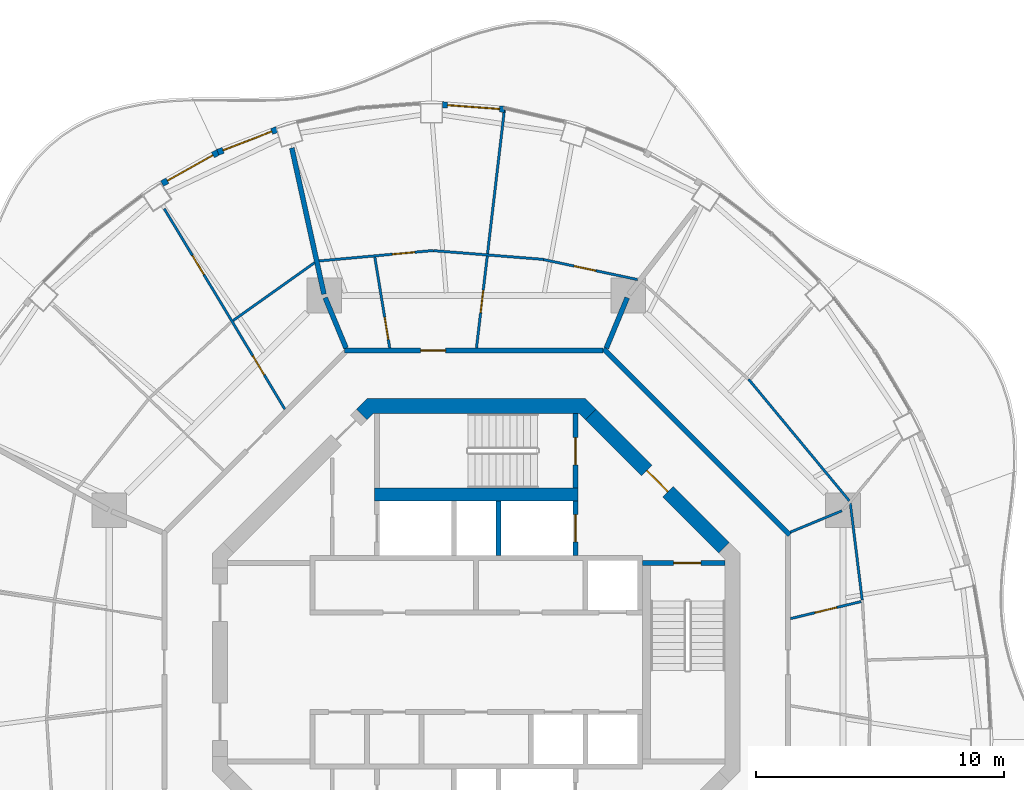
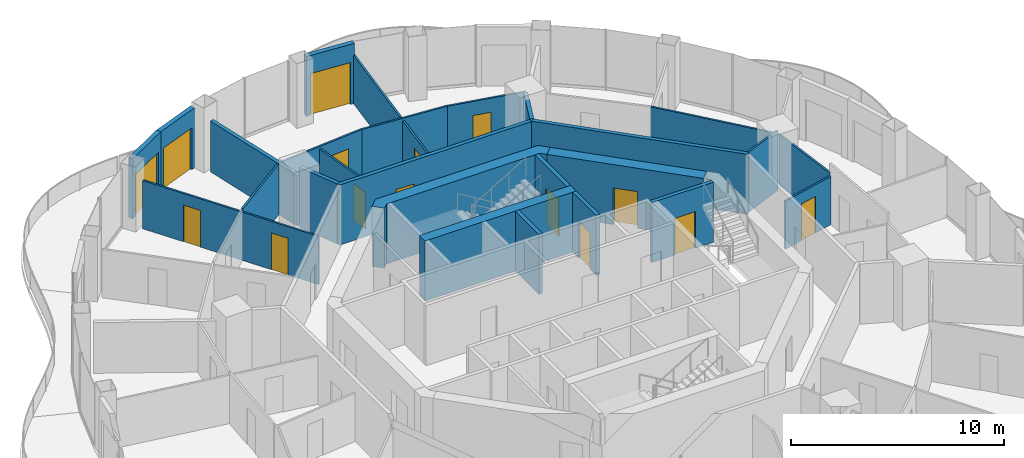
# One storey, part 13 of 17: 26 walls, 15 doors, 15 openings.
"""IFC4 building model written with IfcOpenShell, lengths in metres."""

from ifc_helpers import new_model, si_unit, direction, frame, frame_2d, origin, place, context, subcontext, project, spatial, polyline, rectangle, outline, extrude, material, layer, layer_set, type_object, element, fill, save


model = new_model("IFC4")

# Units and contexts
model_context = context("Model", 3, precision=1e-05, world=origin(), true_north=direction((0.0, 1.0)))
body_context = subcontext(model_context, "Body", "Model", "MODEL_VIEW")
ifc_project = project(units=[si_unit("LENGTHUNIT", "METRE"), si_unit("AREAUNIT", "SQUARE_METRE"), si_unit("VOLUMEUNIT", "CUBIC_METRE"), si_unit("PLANEANGLEUNIT", "RADIAN"), si_unit("MASSUNIT", "GRAM", prefix="KILO")], contexts=[model_context])

# Site, building, storey
site_placement = place(None, origin())
site = spatial("IfcSite", under=ifc_project, at=site_placement, CompositionType="ELEMENT")
building_placement = place(site_placement, origin())
building = spatial("IfcBuilding", under=site, at=building_placement, Name="Nagisa Residences", CompositionType="ELEMENT")
storey_placement = place(building_placement, frame((0.0, 0.0, 291.800048828125)))
storey = spatial("IfcBuildingStorey", under=building, at=storey_placement, Name="L74", CompositionType="ELEMENT", Elevation=291.800048828125)

# Walls
ifc_material_1 = material(Name="Gypsum board on steel studs", Category="steel")
ifc_layer_1 = layer(ifc_material_1, 0.199951171875)
ifc_layer_set_1 = layer_set([ifc_layer_1], Name="Apartment compartment wall EI60 200")
wall_type_1 = type_object("IfcWallType", Name="Apartment compartment wall EI60 200", PredefinedType="PARTITIONING", material=ifc_layer_set_1)
wall_1_placement = place(storey_placement, frame((5.24267578125, 12.6572265625, 0.0), z_axis=(0.0, 0.0, 1.0), x_axis=(0.382691608661, 0.923876145736, 0.0)))
element("IfcWall", 1, at=wall_1_placement, inside=storey, type_object=wall_type_1, Name="wall:L74:u00", PredefinedType="PARTITIONING", context=body_context, shape_type="SweptSolid", body=[
    extrude(rectangle(XDim=2.19970703125, YDim=0.199951171875, at=frame_2d((1.099853515625, 0.0))), origin(), (0.0, 0.0, 1.0), 3.43994140625),
])
wall_2_placement = place(storey_placement, frame((-5.24267578125, 12.6572265625, 0.0), z_axis=(0.0, 0.0, 1.0), x_axis=(-0.38273085373, 0.923859888513, 0.0)))
element("IfcWall", 2, at=wall_2_placement, inside=storey, type_object=wall_type_1, Name="wall:L74:u02", PredefinedType="PARTITIONING", context=body_context, shape_type="SweptSolid", body=[
    extrude(rectangle(XDim=2.199462890625, YDim=0.199951171875, at=frame_2d((1.099609375, 0.0))), origin(), (0.0, 0.0, 1.0), 3.43994140625),
])
wall_3_placement = place(storey_placement, frame((-6.133544921875, 14.830810546875, 0.0), z_axis=(0.0, 0.0, 1.0), x_axis=(-0.214842475666, 0.976648714047, 0.0)))
element("IfcWall", 3, at=wall_3_placement, inside=storey, type_object=wall_type_1, Name="wall:L74:u03", PredefinedType="PARTITIONING", context=body_context, shape_type="SweptSolid", body=[
    extrude(rectangle(XDim=6.03076171875, YDim=0.199951171875, at=frame_2d((3.015380859375, 0.0))), origin(), (0.0, 0.0, 1.0), 2.905029296875),
])
ifc_material_2 = material(Name="Gypsum board on steel studs", Category="steel")
ifc_layer_2 = layer(ifc_material_2, 0.199951171875)
ifc_layer_set_2 = layer_set([ifc_layer_2], Name="Apartment entry wall EI60 200")
wall_type_2 = type_object("IfcWallType", Name="Apartment entry wall EI60 200", PredefinedType="PARTITIONING", material=ifc_layer_set_2)
wall_4_placement = place(storey_placement, frame((12.635498046875, 5.1337890625, 0.0), z_axis=(0.0, 0.0, 1.0), x_axis=(-0.707106781187, 0.707106781187, 0.0)))
element("IfcWall", 4, at=wall_4_placement, inside=storey, type_object=wall_type_2, Name="wall:L74:u11", PredefinedType="PARTITIONING", context=body_context, shape_type="SweptSolid", body=[
    extrude(rectangle(XDim=10.609130859375, YDim=0.199951171875, at=frame_2d((5.3046875, 0.0))), origin(), (0.0, 0.0, 1.0), 3.43994140625),
])

# Wall, opening, door
wall_5_placement = place(storey_placement, frame((5.1044921875, 12.564697265625, 0.0), z_axis=(0.0, 0.0, 1.0), x_axis=(-1.0, 0.0, 0.0)))
wall_5 = element("IfcWall", 5, at=wall_5_placement, inside=storey, type_object=wall_type_2, Name="wall:L74:u12", PredefinedType="PARTITIONING", context=body_context, shape_type="SweptSolid", body=[
    extrude(rectangle(XDim=10.408935546875, YDim=0.199951171875, at=frame_2d((5.20458984375, 0.0))), origin(), (0.0, 0.0, 1.0), 3.43994140625),
])
opening_1_placement = place(wall_5_placement, frame((6.33935546875, 0.0, 0.0)))
opening_1 = element("IfcOpeningElement", 6, at=opening_1_placement, cuts=wall_5, Name="Opening L74-U20", PredefinedType="OPENING", context=body_context, shape_type="SweptSolid", body=[
    extrude(rectangle(XDim=1.0, YDim=2.10009765625, at=frame_2d((0.5, 1.050048828125))), frame((0.0, 0.10986328125, 0.0), z_axis=(0.0, -1.0, 0.0), x_axis=(1.0, 0.0, 0.0)), (0.0, 0.0, 1.0), 0.219970703125),
])
ifc_material_3 = material(Name="Timber fire door set", Category="wood")
door_type_1 = type_object("IfcDoorType", Name="Apartment entry door FD30S 1000x2100", OperationType="NOTDEFINED", PredefinedType="DOOR", material=ifc_material_3)
door_1_placement = place(opening_1_placement, frame((1.0, 0.0, 0.0), x_axis=(-1.0, 0.0, 0.0)))
door_1 = element("IfcDoor", 7, at=door_1_placement, inside=storey, type_object=door_type_1, Name="Entry door, Apartment 74C", OperationType="SINGLE_SWING_LEFT", OverallHeight=2.10009765625, OverallWidth=1.0, PredefinedType="DOOR", context=body_context, shape_type="SweptSolid", body=[
    extrude(rectangle(XDim=1.0, YDim=2.10009765625, at=frame_2d((0.5, 1.050048828125))), frame((0.0, 0.02490234375, 0.0), z_axis=(0.0, -1.0, 0.0), x_axis=(1.0, 0.0, 0.0)), (0.0, 0.0, 1.0), 0.050048828125),
])
fill(opening_1, door_1)

ifc_material_4 = material(Name="Gypsum board on steel studs", Category="steel")
ifc_layer_3 = layer(ifc_material_4, 0.10009765625)
ifc_layer_set_3 = layer_set([ifc_layer_3], Name="Apartment partition 100")
wall_type_3 = type_object("IfcWallType", Name="Apartment partition 100", PredefinedType="PARTITIONING", material=ifc_layer_set_3)
wall_6_placement = place(storey_placement, frame((12.661865234375, 1.75830078125, 0.0), z_axis=(0.0, 0.0, 1.0), x_axis=(0.972004827836, 0.234960879007, 0.0)))
wall_6 = element("IfcWall", 8, at=wall_6_placement, inside=storey, type_object=wall_type_3, Name="wall:L74:u22", PredefinedType="PARTITIONING", context=body_context, shape_type="SweptSolid", body=[
    extrude(rectangle(XDim=2.93017578125, YDim=0.10009765625, at=frame_2d((1.465087890625, 0.0))), origin(), (0.0, 0.0, 1.0), 2.761962890625),
])
opening_2_placement = place(wall_6_placement, frame((1.014892578125, 0.0, 0.0)))
opening_2 = element("IfcOpeningElement", 9, at=opening_2_placement, cuts=wall_6, Name="Opening L74-U14", PredefinedType="OPENING", context=body_context, shape_type="SweptSolid", body=[
    extrude(rectangle(XDim=0.89990234375, YDim=2.10009765625, at=frame_2d((0.449951171875, 1.050048828125))), frame((0.0, 0.06005859375, 0.0), z_axis=(0.0, -1.0, 0.0), x_axis=(1.0, 0.0, 0.0)), (0.0, 0.0, 1.0), 0.1201171875),
])
ifc_material_5 = material(Name="Timber door set", Category="wood")
door_type_2 = type_object("IfcDoorType", Name="Apartment door 900x2100", OperationType="NOTDEFINED", PredefinedType="DOOR", material=ifc_material_5)
door_2_placement = place(opening_2_placement, origin())
door_2 = element("IfcDoor", 10, at=door_2_placement, inside=storey, type_object=door_type_2, Name="Door to family bathroom, Apartment 74B", OperationType="SINGLE_SWING_RIGHT", OverallHeight=2.10009765625, OverallWidth=0.89990234375, PredefinedType="DOOR", context=body_context, shape_type="SweptSolid", body=[
    extrude(rectangle(XDim=0.89990234375, YDim=2.10009765625, at=frame_2d((0.449951171875, 1.050048828125))), frame((0.0, 0.02490234375, 0.0), z_axis=(0.0, -1.0, 0.0), x_axis=(1.0, 0.0, 0.0)), (0.0, 0.0, 1.0), 0.050048828125),
])
fill(opening_2, door_2)

# Walls
wall_7_placement = place(storey_placement, frame((15.552490234375, 2.50830078125, 0.0), z_axis=(0.0, 0.0, 1.0), x_axis=(-0.12196631785, 0.992534239868, 0.0)))
element("IfcWall", 11, at=wall_7_placement, inside=storey, type_object=wall_type_3, Name="wall:L74:u23", PredefinedType="PARTITIONING", context=body_context, shape_type="SweptSolid", body=[
    extrude(rectangle(XDim=3.937255859375, YDim=0.10009765625, at=frame_2d((1.96875, 0.0))), origin(), (0.0, 0.0, 1.0), 2.905029296875),
])
wall_8_placement = place(storey_placement, frame((12.6572265625, 5.24267578125, 0.0), z_axis=(0.0, 0.0, 1.0), x_axis=(0.923864733477, 0.382719158442, 0.0)))
element("IfcWall", 12, at=wall_8_placement, inside=storey, type_object=wall_type_3, Name="wall:L74:u24", PredefinedType="PARTITIONING", context=body_context, shape_type="SweptSolid", body=[
    extrude(rectangle(XDim=2.25, YDim=0.10009765625, at=frame_2d((1.125, 0.0))), origin(), (0.0, 0.0, 1.0), 3.43994140625),
])
wall_9_placement = place(storey_placement, frame((15.034423828125, 6.50439453125, 0.0), z_axis=(0.0, 0.0, 1.0), x_axis=(-0.637935278767, 0.770089981823, 0.0)))
element("IfcWall", 13, at=wall_9_placement, inside=storey, type_object=wall_type_3, Name="wall:L74:u26", PredefinedType="PARTITIONING", context=body_context, shape_type="SweptSolid", body=[
    extrude(rectangle(XDim=6.360595703125, YDim=0.10009765625, at=frame_2d((3.18017578125, 0.0))), origin(), (0.0, 0.0, 1.0), 2.905029296875),
])

# Wall, opening, door
wall_10_placement = place(storey_placement, frame((6.50048828125, 15.41943359375, 0.0), z_axis=(0.0, 0.0, 1.0), x_axis=(-0.978053492557, 0.208353943321, 0.0)))
wall_10 = element("IfcWall", 14, at=wall_10_placement, inside=storey, type_object=wall_type_3, Name="wall:L74:u29", PredefinedType="PARTITIONING", context=body_context, shape_type="SweptSolid", body=[
    extrude(rectangle(XDim=3.873779296875, YDim=0.10009765625, at=frame_2d((1.93701171875, 0.0))), origin(), (0.0, 0.0, 1.0), 2.905029296875),
])
opening_3_placement = place(wall_10_placement, frame((1.71435546875, 0.0, 0.0)))
opening_3 = element("IfcOpeningElement", 15, at=opening_3_placement, cuts=wall_10, Name="Opening L74-U23", PredefinedType="OPENING", context=body_context, shape_type="SweptSolid", body=[
    extrude(rectangle(XDim=0.89990234375, YDim=2.10009765625, at=frame_2d((0.449951171875, 1.050048828125))), frame((0.0, 0.06005859375, 0.0), z_axis=(0.0, -1.0, 0.0), x_axis=(1.0, 0.0, 0.0)), (0.0, 0.0, 1.0), 0.1201171875),
])
door_3_placement = place(opening_3_placement, frame((0.89990234375, 0.0, 0.0), x_axis=(-1.0, 0.0, 0.0)))
door_3 = element("IfcDoor", 16, at=door_3_placement, inside=storey, type_object=door_type_2, Name="Door to kitchen, Apartment 74C", OperationType="SINGLE_SWING_RIGHT", OverallHeight=2.10009765625, OverallWidth=0.89990234375, PredefinedType="DOOR", context=body_context, shape_type="SweptSolid", body=[
    extrude(rectangle(XDim=0.89990234375, YDim=2.10009765625, at=frame_2d((0.449951171875, 1.050048828125))), frame((0.0, 0.02490234375, 0.0), z_axis=(0.0, -1.0, 0.0), x_axis=(1.0, 0.0, 0.0)), (0.0, 0.0, 1.0), 0.050048828125),
])
fill(opening_3, door_3)

# Wall
wall_11_placement = place(storey_placement, frame((2.712646484375, 16.23291015625, 0.0), z_axis=(0.0, 0.0, 1.0), x_axis=(-0.996870142942, 0.079056423588, 0.0)))
element("IfcWall", 17, at=wall_11_placement, inside=storey, type_object=wall_type_3, Name="wall:L74:u30", PredefinedType="PARTITIONING", context=body_context, shape_type="SweptSolid", body=[
    extrude(rectangle(XDim=4.437744140625, YDim=0.10009765625, at=frame_2d((2.21875, 0.0))), origin(), (0.0, 0.0, 1.0), 2.905029296875),
])

# Wall, opening, door
wall_12_placement = place(storey_placement, frame((0.01171875, 12.6640625, 0.0), z_axis=(0.0, 0.0, 1.0), x_axis=(0.11636251357, 0.993206808996, 0.0)))
wall_12 = element("IfcWall", 18, at=wall_12_placement, inside=storey, type_object=wall_type_3, Name="wall:L74:u31", PredefinedType="PARTITIONING", context=body_context, shape_type="SweptSolid", body=[
    extrude(rectangle(XDim=9.7646484375, YDim=0.10009765625, at=frame_2d((4.88232421875, 0.0))), origin(), (0.0, 0.0, 1.0), 2.761962890625),
])
opening_4_placement = place(wall_12_placement, frame((1.43701171875, 0.0, 0.0)))
opening_4 = element("IfcOpeningElement", 19, at=opening_4_placement, cuts=wall_12, Name="Opening L74-U21", PredefinedType="OPENING", context=body_context, shape_type="SweptSolid", body=[
    extrude(rectangle(XDim=0.89990234375, YDim=2.10009765625, at=frame_2d((0.449951171875, 1.050048828125))), frame((0.0, 0.06005859375, 0.0), z_axis=(0.0, -1.0, 0.0), x_axis=(1.0, 0.0, 0.0)), (0.0, 0.0, 1.0), 0.1201171875),
])
door_4_placement = place(opening_4_placement, frame((0.89990234375, 0.0, 0.0), x_axis=(-1.0, 0.0, 0.0)))
door_4 = element("IfcDoor", 20, at=door_4_placement, inside=storey, type_object=door_type_2, Name="Door to laundry, Apartment 74C", OperationType="SINGLE_SWING_RIGHT", OverallHeight=2.10009765625, OverallWidth=0.89990234375, PredefinedType="DOOR", context=body_context, shape_type="SweptSolid", body=[
    extrude(rectangle(XDim=0.89990234375, YDim=2.10009765625, at=frame_2d((0.449951171875, 1.050048828125))), frame((0.0, 0.02490234375, 0.0), z_axis=(0.0, -1.0, 0.0), x_axis=(1.0, 0.0, 0.0)), (0.0, 0.0, 1.0), 0.050048828125),
])
fill(opening_4, door_4)

wall_13_placement = place(storey_placement, frame((-1.711181640625, 16.59228515625, 0.0), z_axis=(0.0, 0.0, 1.0), x_axis=(-0.995843837247, -0.091077175065, 0.0)))
wall_13 = element("IfcWall", 21, at=wall_13_placement, inside=storey, type_object=wall_type_3, Name="wall:L74:u32", PredefinedType="PARTITIONING", context=body_context, shape_type="SweptSolid", body=[
    extrude(rectangle(XDim=4.634765625, YDim=0.10009765625, at=frame_2d((2.3173828125, 0.0))), origin(), (0.0, 0.0, 1.0), 2.905029296875),
])
opening_5_placement = place(wall_13_placement, frame((0.771240234375, 0.0, 0.0)))
opening_5 = element("IfcOpeningElement", 22, at=opening_5_placement, cuts=wall_13, Name="Opening L74-U24", PredefinedType="OPENING", context=body_context, shape_type="SweptSolid", body=[
    extrude(rectangle(XDim=0.89990234375, YDim=2.10009765625, at=frame_2d((0.449951171875, 1.050048828125))), frame((0.0, 0.06005859375, 0.0), z_axis=(0.0, -1.0, 0.0), x_axis=(1.0, 0.0, 0.0)), (0.0, 0.0, 1.0), 0.1201171875),
])
door_5_placement = place(opening_5_placement, frame((0.89990234375, 0.0, 0.0), x_axis=(-1.0, 0.0, 0.0)))
door_5 = element("IfcDoor", 23, at=door_5_placement, inside=storey, type_object=door_type_2, Name="Door to master bedroom, Apartment 74C", OperationType="SINGLE_SWING_LEFT", OverallHeight=2.10009765625, OverallWidth=0.89990234375, PredefinedType="DOOR", context=body_context, shape_type="SweptSolid", body=[
    extrude(rectangle(XDim=0.89990234375, YDim=2.10009765625, at=frame_2d((0.449951171875, 1.050048828125))), frame((0.0, 0.02490234375, 0.0), z_axis=(0.0, -1.0, 0.0), x_axis=(1.0, 0.0, 0.0)), (0.0, 0.0, 1.0), 0.050048828125),
])
fill(opening_5, door_5)

wall_14_placement = place(storey_placement, frame((-3.48583984375, 12.663330078125, 0.0), z_axis=(0.0, 0.0, 1.0), x_axis=(-0.161602751674, 0.986855891532, 0.0)))
wall_14 = element("IfcWall", 24, at=wall_14_placement, inside=storey, type_object=wall_type_3, Name="wall:L74:u33", PredefinedType="PARTITIONING", context=body_context, shape_type="SweptSolid", body=[
    extrude(rectangle(XDim=3.71044921875, YDim=0.10009765625, at=frame_2d((1.855224609375, 0.0))), origin(), (0.0, 0.0, 1.0), 2.761962890625),
])
opening_6_placement = place(wall_14_placement, frame((0.35009765625, 0.0, 0.0)))
opening_6 = element("IfcOpeningElement", 25, at=opening_6_placement, cuts=wall_14, Name="Opening L74-U22", PredefinedType="OPENING", context=body_context, shape_type="SweptSolid", body=[
    extrude(rectangle(XDim=0.89990234375, YDim=2.10009765625, at=frame_2d((0.449951171875, 1.050048828125))), frame((0.0, 0.06005859375, 0.0), z_axis=(0.0, -1.0, 0.0), x_axis=(1.0, 0.0, 0.0)), (0.0, 0.0, 1.0), 0.1201171875),
])
door_6_placement = place(opening_6_placement, origin())
door_6 = element("IfcDoor", 26, at=door_6_placement, inside=storey, type_object=door_type_2, Name="Door to family bathroom, Apartment 74C", OperationType="SINGLE_SWING_RIGHT", OverallHeight=2.10009765625, OverallWidth=0.89990234375, PredefinedType="DOOR", context=body_context, shape_type="SweptSolid", body=[
    extrude(rectangle(XDim=0.89990234375, YDim=2.10009765625, at=frame_2d((0.449951171875, 1.050048828125))), frame((0.0, 0.02490234375, 0.0), z_axis=(0.0, -1.0, 0.0), x_axis=(1.0, 0.0, 0.0)), (0.0, 0.0, 1.0), 0.050048828125),
])
fill(opening_6, door_6)

# Wall
wall_15_placement = place(storey_placement, frame((-6.5078125, 16.10302734375, 0.0), z_axis=(0.0, 0.0, 1.0), x_axis=(-0.815202203556, -0.579176456114, 0.0)))
element("IfcWall", 27, at=wall_15_placement, inside=storey, type_object=wall_type_3, Name="wall:L74:u34", PredefinedType="PARTITIONING", context=body_context, shape_type="SweptSolid", body=[
    extrude(rectangle(XDim=4.0361328125, YDim=0.10009765625, at=frame_2d((2.01806640625, 0.0))), origin(), (0.0, 0.0, 1.0), 2.905029296875),
])

# Wall, openings, doors
wall_16_placement = place(storey_placement, frame((-7.70947265625, 10.197021484375, 0.0), z_axis=(0.0, 0.0, 1.0), x_axis=(-0.515516160663, 0.856879856278, 0.0)))
wall_16 = element("IfcWall", 28, at=wall_16_placement, inside=storey, type_object=wall_type_3, Name="wall:L74:u35", PredefinedType="PARTITIONING", context=body_context, shape_type="SweptSolid", body=[
    extrude(rectangle(XDim=9.42626953125, YDim=0.10009765625, at=frame_2d((4.713134765625, 0.0))), origin(), (0.0, 0.0, 1.0), 2.761962890625),
])
opening_7_placement = place(wall_16_placement, frame((1.615234375, 0.0, 0.0)))
opening_7 = element("IfcOpeningElement", 29, at=opening_7_placement, cuts=wall_16, Name="Opening L74-U26", PredefinedType="OPENING", context=body_context, shape_type="SweptSolid", body=[
    extrude(rectangle(XDim=0.89990234375, YDim=2.10009765625, at=frame_2d((0.449951171875, 1.050048828125))), frame((0.0, 0.06005859375, 0.0), z_axis=(0.0, -1.0, 0.0), x_axis=(1.0, 0.0, 0.0)), (0.0, 0.0, 1.0), 0.1201171875),
])
opening_8_placement = place(wall_16_placement, frame((6.328369140625, 0.0, 0.0)))
opening_8 = element("IfcOpeningElement", 30, at=opening_8_placement, cuts=wall_16, Name="Opening L74-U30", PredefinedType="OPENING", context=body_context, shape_type="SweptSolid", body=[
    extrude(rectangle(XDim=0.89990234375, YDim=2.10009765625, at=frame_2d((0.449951171875, 1.050048828125))), frame((0.0, 0.06005859375, 0.0), z_axis=(0.0, -1.0, 0.0), x_axis=(1.0, 0.0, 0.0)), (0.0, 0.0, 1.0), 0.1201171875),
])
door_7_placement = place(opening_7_placement, frame((0.89990234375, 0.0, 0.0), x_axis=(-1.0, 0.0, 0.0)))
door_7 = element("IfcDoor", 31, at=door_7_placement, inside=storey, type_object=door_type_2, Name="Door to family bathroom, Apartment 74D", OperationType="SINGLE_SWING_LEFT", OverallHeight=2.10009765625, OverallWidth=0.89990234375, PredefinedType="DOOR", context=body_context, shape_type="SweptSolid", body=[
    extrude(rectangle(XDim=0.89990234375, YDim=2.10009765625, at=frame_2d((0.449951171875, 1.050048828125))), frame((0.0, 0.02490234375, 0.0), z_axis=(0.0, -1.0, 0.0), x_axis=(1.0, 0.0, 0.0)), (0.0, 0.0, 1.0), 0.050048828125),
])
fill(opening_7, door_7)
door_8_placement = place(opening_8_placement, frame((0.89990234375, 0.0, 0.0), x_axis=(-1.0, 0.0, 0.0)))
door_8 = element("IfcDoor", 32, at=door_8_placement, inside=storey, type_object=door_type_2, Name="Door to bedroom, Apartment 74D", OperationType="SINGLE_SWING_LEFT", OverallHeight=2.10009765625, OverallWidth=0.89990234375, PredefinedType="DOOR", context=body_context, shape_type="SweptSolid", body=[
    extrude(rectangle(XDim=0.89990234375, YDim=2.10009765625, at=frame_2d((0.449951171875, 1.050048828125))), frame((0.0, 0.02490234375, 0.0), z_axis=(0.0, -1.0, 0.0), x_axis=(1.0, 0.0, 0.0)), (0.0, 0.0, 1.0), 0.050048828125),
])
fill(opening_8, door_8)

# Wall, opening, door
ifc_material_6 = material(Name="Precast concrete C40/50", Category="concrete")
ifc_layer_4 = layer(ifc_material_6, 0.25)
ifc_layer_set_4 = layer_set([ifc_layer_4], Name="BALCONY DOOR WALL 250")
wall_type_4 = type_object("IfcWallType", Name="BALCONY DOOR WALL 250", PredefinedType="SOLIDWALL", material=ifc_layer_set_4)
wall_17_placement = place(storey_placement, frame((-1.360595703125, 22.464111328125, 0.0), z_axis=(0.0, 0.0, 1.0), x_axis=(0.997229684519, -0.074383844448, 0.0)))
wall_17 = element("IfcWall", 33, at=wall_17_placement, inside=storey, type_object=wall_type_4, Name="wall:L74:bay11", PredefinedType="SOLIDWALL", context=body_context, shape_type="SweptSolid", body=[
    extrude(rectangle(XDim=2.5107421875, YDim=0.25, at=frame_2d((1.25537109375, 0.0))), origin(), (0.0, 0.0, 1.0), 3.43994140625),
])
opening_9_placement = place(wall_17_placement, frame((0.205322265625, 0.0, 0.0)))
opening_9 = element("IfcOpeningElement", 34, at=opening_9_placement, cuts=wall_17, Name="Opening BD-L74-04", PredefinedType="OPENING", context=body_context, shape_type="SweptSolid", body=[
    extrude(rectangle(XDim=2.10009765625, YDim=2.39990234375, at=frame_2d((1.050048828125, 1.199951171875))), frame((0.0, 0.135009765625, 0.0), z_axis=(0.0, -1.0, 0.0), x_axis=(1.0, 0.0, 0.0)), (0.0, 0.0, 1.0), 0.27001953125),
])
ifc_material_7 = material(Name="Aluminium and clear glass", Category="aluminium")
door_type_3 = type_object("IfcDoorType", Name="BALCONY SLIDING DOOR 2100x2400", OperationType="SLIDING_TO_LEFT", PredefinedType="DOOR", material=ifc_material_7)
door_9_placement = place(opening_9_placement, origin())
door_9 = element("IfcDoor", 35, at=door_9_placement, inside=storey, type_object=door_type_3, Name="door:L74:bay11", OperationType="SLIDING_TO_LEFT", OverallHeight=2.39990234375, OverallWidth=2.10009765625, PredefinedType="DOOR", context=body_context, shape_type="SweptSolid", body=[
    extrude(rectangle(XDim=2.10009765625, YDim=2.39990234375, at=frame_2d((1.050048828125, 1.199951171875))), frame((0.0, 0.02490234375, 0.0), z_axis=(0.0, -1.0, 0.0), x_axis=(1.0, 0.0, 0.0)), (0.0, 0.0, 1.0), 0.050048828125),
])
fill(opening_9, door_9)

wall_18_placement = place(storey_placement, frame((-10.411376953125, 20.54638671875, 0.0), z_axis=(0.0, 0.0, 1.0), x_axis=(0.93282223778, 0.360336887792, 0.0)))
wall_18 = element("IfcWall", 36, at=wall_18_placement, inside=storey, type_object=wall_type_4, Name="wall:L74:bay14", PredefinedType="SOLIDWALL", context=body_context, shape_type="SweptSolid", body=[
    extrude(rectangle(XDim=2.5537109375, YDim=0.25, at=frame_2d((1.27685546875, 0.0))), origin(), (0.0, 0.0, 1.0), 3.43994140625),
])
opening_10_placement = place(wall_18_placement, frame((0.226806640625, 0.0, 0.0)))
opening_10 = element("IfcOpeningElement", 37, at=opening_10_placement, cuts=wall_18, Name="Opening BD-L74-05", PredefinedType="OPENING", context=body_context, shape_type="SweptSolid", body=[
    extrude(rectangle(XDim=2.10009765625, YDim=2.39990234375, at=frame_2d((1.050048828125, 1.199951171875))), frame((0.0, 0.135009765625, 0.0), z_axis=(0.0, -1.0, 0.0), x_axis=(1.0, 0.0, 0.0)), (0.0, 0.0, 1.0), 0.27001953125),
])
door_10_placement = place(opening_10_placement, origin())
door_10 = element("IfcDoor", 38, at=door_10_placement, inside=storey, type_object=door_type_3, Name="door:L74:bay14", OperationType="SLIDING_TO_LEFT", OverallHeight=2.39990234375, OverallWidth=2.10009765625, PredefinedType="DOOR", context=body_context, shape_type="SweptSolid", body=[
    extrude(rectangle(XDim=2.10009765625, YDim=2.39990234375, at=frame_2d((1.050048828125, 1.199951171875))), frame((0.0, 0.02490234375, 0.0), z_axis=(0.0, -1.0, 0.0), x_axis=(1.0, 0.0, 0.0)), (0.0, 0.0, 1.0), 0.050048828125),
])
fill(opening_10, door_10)

wall_19_placement = place(storey_placement, frame((-12.656494140625, 19.284912109375, 0.0), z_axis=(0.0, 0.0, 1.0), x_axis=(0.872075426507, 0.489371485154, 0.0)))
wall_19 = element("IfcWall", 39, at=wall_19_placement, inside=storey, type_object=wall_type_4, Name="wall:L74:bay15", PredefinedType="SOLIDWALL", context=body_context, shape_type="SweptSolid", body=[
    extrude(rectangle(XDim=2.59326171875, YDim=0.25, at=frame_2d((1.296630859375, 0.0))), origin(), (0.0, 0.0, 1.0), 3.43994140625),
])
opening_11_placement = place(wall_19_placement, frame((0.24658203125, 0.0, 0.0)))
opening_11 = element("IfcOpeningElement", 40, at=opening_11_placement, cuts=wall_19, Name="Opening BD-L74-06", PredefinedType="OPENING", context=body_context, shape_type="SweptSolid", body=[
    extrude(rectangle(XDim=2.10009765625, YDim=2.39990234375, at=frame_2d((1.050048828125, 1.199951171875))), frame((0.0, 0.135009765625, 0.0), z_axis=(0.0, -1.0, 0.0), x_axis=(1.0, 0.0, 0.0)), (0.0, 0.0, 1.0), 0.27001953125),
])
door_11_placement = place(opening_11_placement, origin())
door_11 = element("IfcDoor", 41, at=door_11_placement, inside=storey, type_object=door_type_3, Name="door:L74:bay15", OperationType="SLIDING_TO_LEFT", OverallHeight=2.39990234375, OverallWidth=2.10009765625, PredefinedType="DOOR", context=body_context, shape_type="SweptSolid", body=[
    extrude(rectangle(XDim=2.10009765625, YDim=2.39990234375, at=frame_2d((1.050048828125, 1.199951171875))), frame((0.0, 0.02490234375, 0.0), z_axis=(0.0, -1.0, 0.0), x_axis=(1.0, 0.0, 0.0)), (0.0, 0.0, 1.0), 0.050048828125),
])
fill(opening_11, door_11)

ifc_material_8 = material(Name="Concrete C60", Category="concrete")
ifc_layer_5 = layer(ifc_material_8, 0.60009765625)
ifc_layer_set_5 = layer_set([ifc_layer_5], Name="Core shear wall 600")
wall_type_5 = type_object("IfcWallType", Name="Core shear wall 600", PredefinedType="SHEAR", material=ifc_layer_set_5)
wall_20_placement = place(storey_placement, frame((9.98828125, 4.613037109375, 0.0), z_axis=(0.0, 0.0, 1.0), x_axis=(-0.707106781187, 0.707106781187, 0.0)))
wall_20 = element("IfcWall", 42, at=wall_20_placement, inside=storey, type_object=wall_type_5, Name="wall:L74:core:flat1", PredefinedType="SHEAR", context=body_context, shape_type="SweptSolid", body=[
    extrude(rectangle(XDim=7.601806640625, YDim=0.60009765625, at=frame_2d((3.80078125, 0.0))), origin(), (0.0, 0.0, 1.0), 3.43994140625),
])
opening_12_placement = place(wall_20_placement, frame((3.200927734375, 0.0, 0.0)))
opening_12 = element("IfcOpeningElement", 43, at=opening_12_placement, cuts=wall_20, Name="Opening L74-C18", PredefinedType="OPENING", context=body_context, shape_type="SweptSolid", body=[
    extrude(rectangle(XDim=1.199951171875, YDim=2.10009765625, at=frame_2d((0.60009765625, 1.050048828125))), frame((0.0, 0.31005859375, 0.0), z_axis=(0.0, -1.0, 0.0), x_axis=(1.0, 0.0, 0.0)), (0.0, 0.0, 1.0), 0.6201171875),
])
ifc_material_9 = material(Name="Steel fire door", Category="steel")
door_type_4 = type_object("IfcDoorType", Name="Fire door EI60 1200x2100 single swing", OperationType="NOTDEFINED", PredefinedType="DOOR", material=ifc_material_9)
door_12_placement = place(opening_12_placement, origin())
door_12 = element("IfcDoor", 44, at=door_12_placement, inside=storey, type_object=door_type_4, Name="Firefighting lobby 1 door L74", OperationType="SINGLE_SWING_RIGHT", OverallHeight=2.10009765625, OverallWidth=1.199951171875, PredefinedType="DOOR", context=body_context, shape_type="SweptSolid", body=[
    extrude(rectangle(XDim=1.199951171875, YDim=2.10009765625, at=frame_2d((0.60009765625, 1.050048828125))), frame((0.0, 0.02490234375, 0.0), z_axis=(0.0, -1.0, 0.0), x_axis=(1.0, 0.0, 0.0)), (0.0, 0.0, 1.0), 0.050048828125),
])
fill(opening_12, door_12)

# Wall
wall_21_placement = place(storey_placement, origin())
element("IfcWall", 45, at=wall_21_placement, inside=storey, type_object=wall_type_5, Name="wall:L74:core:flat2", PredefinedType="SHEAR", context=body_context, shape_type="SweptSolid", body=[
    extrude(outline(polyline([(-4.15234375, 10.024658203125), (-4.40087890625, 9.776123046875), (-4.8251953125, 10.200439453125), (-4.40087890625, 10.62451171875), (4.40087890625, 10.62451171875), (4.8251953125, 10.200439453125), (4.40087890625, 9.776123046875), (4.15234375, 10.024658203125), (-4.15234375, 10.024658203125)])), origin(), (0.0, 0.0, 1.0), 3.43994140625),
])

# Wall, opening, door
ifc_material_10 = material(Name="Concrete C60", Category="concrete")
ifc_layer_6 = layer(ifc_material_10, 0.199951171875)
ifc_layer_set_6 = layer_set([ifc_layer_6], Name="Lift shaft wall 200")
wall_type_6 = type_object("IfcWallType", Name="Lift shaft wall 200", PredefinedType="SOLIDWALL", material=ifc_layer_set_6)
wall_22_placement = place(storey_placement, frame((4.0, 4.300048828125, 0.0), z_axis=(0.0, 0.0, 1.0), x_axis=(0.0, 1.0, 0.0)))
wall_22 = element("IfcWall", 46, at=wall_22_placement, inside=storey, type_object=wall_type_6, Name="wall:L74:Nb3", PredefinedType="SOLIDWALL", context=body_context, shape_type="SweptSolid", body=[
    extrude(rectangle(XDim=2.199951171875, YDim=0.199951171875, at=frame_2d((1.10009765625, 0.0))), origin(), (0.0, 0.0, 1.0), 3.43994140625),
])
opening_13_placement = place(wall_22_placement, frame((0.550048828125, 0.0, 0.0)))
opening_13 = element("IfcOpeningElement", 47, at=opening_13_placement, cuts=wall_22, Name="Opening L74-C04", PredefinedType="OPENING", context=body_context, shape_type="SweptSolid", body=[
    extrude(rectangle(XDim=1.10009765625, YDim=2.10009765625, at=frame_2d((0.550048828125, 1.050048828125))), frame((0.0, 0.10986328125, 0.0), z_axis=(0.0, -1.0, 0.0), x_axis=(1.0, 0.0, 0.0)), (0.0, 0.0, 1.0), 0.219970703125),
])
ifc_material_11 = material(Name="Stainless steel", Category="steel")
door_type_5 = type_object("IfcDoorType", Name="Lift landing door 1100x2100", OperationType="DOUBLE_DOOR_SLIDING", PredefinedType="DOOR", material=ifc_material_11)
door_13_placement = place(opening_13_placement, origin())
door_13 = element("IfcDoor", 48, at=door_13_placement, inside=storey, type_object=door_type_5, Name="Landing door FL1 L74", OperationType="DOUBLE_DOOR_SLIDING", OverallHeight=2.10009765625, OverallWidth=1.10009765625, PredefinedType="DOOR", context=body_context, shape_type="SweptSolid", body=[
    extrude(rectangle(XDim=1.10009765625, YDim=2.10009765625, at=frame_2d((0.550048828125, 1.050048828125))), frame((0.0, 0.02490234375, 0.0), z_axis=(0.0, -1.0, 0.0), x_axis=(1.0, 0.0, 0.0)), (0.0, 0.0, 1.0), 0.050048828125),
])
fill(opening_13, door_13)

# Wall
wall_23_placement = place(storey_placement, frame((0.89990234375, 4.300048828125, 0.0), z_axis=(0.0, 0.0, 1.0), x_axis=(0.0, 1.0, 0.0)))
element("IfcWall", 49, at=wall_23_placement, inside=storey, type_object=wall_type_6, Name="wall:L74:Nb2", PredefinedType="SOLIDWALL", context=body_context, shape_type="SweptSolid", body=[
    extrude(rectangle(XDim=2.199951171875, YDim=0.199951171875, at=frame_2d((1.10009765625, 0.0))), origin(), (0.0, 0.0, 1.0), 3.43994140625),
])

# Wall, opening, door
ifc_material_12 = material(Name="Concrete C60", Category="concrete")
ifc_layer_7 = layer(ifc_material_12, 0.199951171875)
ifc_layer_set_7 = layer_set([ifc_layer_7], Name="Stair enclosure wall 200")
wall_type_7 = type_object("IfcWallType", Name="Stair enclosure wall 200", PredefinedType="SOLIDWALL", material=ifc_layer_set_7)
wall_24_placement = place(storey_placement, frame((6.699951171875, 4.0, 0.0), z_axis=(0.0, 0.0, 1.0), x_axis=(1.0, 0.0, 0.0)))
wall_24 = element("IfcWall", 50, at=wall_24_placement, inside=storey, type_object=wall_type_7, Name="wall:L74:SE_n", PredefinedType="SOLIDWALL", context=body_context, shape_type="SweptSolid", body=[
    extrude(rectangle(XDim=3.32470703125, YDim=0.199951171875, at=frame_2d((1.662353515625, 0.0))), origin(), (0.0, 0.0, 1.0), 3.43994140625),
])
opening_14_placement = place(wall_24_placement, frame((1.25, 0.0, 0.0)))
opening_14 = element("IfcOpeningElement", 51, at=opening_14_placement, cuts=wall_24, Name="Opening L74-C07", PredefinedType="OPENING", context=body_context, shape_type="SweptSolid", body=[
    extrude(rectangle(XDim=1.10009765625, YDim=2.10009765625, at=frame_2d((0.550048828125, 1.050048828125))), frame((0.0, 0.10986328125, 0.0), z_axis=(0.0, -1.0, 0.0), x_axis=(1.0, 0.0, 0.0)), (0.0, 0.0, 1.0), 0.219970703125),
])
ifc_material_13 = material(Name="Steel fire door", Category="steel")
door_type_6 = type_object("IfcDoorType", Name="Fire door EI90 1100x2100 single swing", OperationType="NOTDEFINED", PredefinedType="DOOR", material=ifc_material_13)
door_14_placement = place(opening_14_placement, frame((1.10009765625, 0.0, 0.0), x_axis=(-1.0, 0.0, 0.0)))
door_14 = element("IfcDoor", 52, at=door_14_placement, inside=storey, type_object=door_type_6, Name="Stair door ST-E L74", OperationType="SINGLE_SWING_RIGHT", OverallHeight=2.10009765625, OverallWidth=1.10009765625, PredefinedType="DOOR", context=body_context, shape_type="SweptSolid", body=[
    extrude(rectangle(XDim=1.10009765625, YDim=2.10009765625, at=frame_2d((0.550048828125, 1.050048828125))), frame((0.0, 0.02490234375, 0.0), z_axis=(0.0, -1.0, 0.0), x_axis=(1.0, 0.0, 0.0)), (0.0, 0.0, 1.0), 0.050048828125),
])
fill(opening_14, door_14)

wall_25_placement = place(storey_placement, frame((4.0, 7.024658203125, 0.0), z_axis=(0.0, 0.0, 1.0), x_axis=(0.0, 1.0, 0.0)))
wall_25 = element("IfcWall", 53, at=wall_25_placement, inside=storey, type_object=wall_type_7, Name="wall:L74:SN_e", PredefinedType="SOLIDWALL", context=body_context, shape_type="SweptSolid", body=[
    extrude(rectangle(XDim=3.0, YDim=0.199951171875, at=frame_2d((1.5, 0.0))), origin(), (0.0, 0.0, 1.0), 3.43994140625),
])
opening_15_placement = place(wall_25_placement, frame((0.92529296875, 0.0, 0.0)))
opening_15 = element("IfcOpeningElement", 54, at=opening_15_placement, cuts=wall_25, Name="Opening L74-C08", PredefinedType="OPENING", context=body_context, shape_type="SweptSolid", body=[
    extrude(rectangle(XDim=1.10009765625, YDim=2.10009765625, at=frame_2d((0.550048828125, 1.050048828125))), frame((0.0, 0.10986328125, 0.0), z_axis=(0.0, -1.0, 0.0), x_axis=(1.0, 0.0, 0.0)), (0.0, 0.0, 1.0), 0.219970703125),
])
door_15_placement = place(opening_15_placement, origin())
door_15 = element("IfcDoor", 55, at=door_15_placement, inside=storey, type_object=door_type_6, Name="Stair door ST-N L74", OperationType="SINGLE_SWING_LEFT", OverallHeight=2.10009765625, OverallWidth=1.10009765625, PredefinedType="DOOR", context=body_context, shape_type="SweptSolid", body=[
    extrude(rectangle(XDim=1.10009765625, YDim=2.10009765625, at=frame_2d((0.550048828125, 1.050048828125))), frame((0.0, 0.02490234375, 0.0), z_axis=(0.0, -1.0, 0.0), x_axis=(1.0, 0.0, 0.0)), (0.0, 0.0, 1.0), 0.050048828125),
])
fill(opening_15, door_15)

# Wall
wall_26_placement = place(storey_placement, origin())
element("IfcWall", 56, at=wall_26_placement, inside=storey, type_object=wall_type_7, Name="wall:L74:SN_s", PredefinedType="SOLIDWALL", context=body_context, shape_type="SweptSolid", body=[
    extrude(outline(polyline([(4.10009765625, 6.5), (-4.10009765625, 6.5), (-4.10009765625, 7.024658203125), (4.10009765625, 7.024658203125), (4.10009765625, 6.5)])), origin(), (0.0, 0.0, 1.0), 3.43994140625),
])

save(model, "model.ifc")
